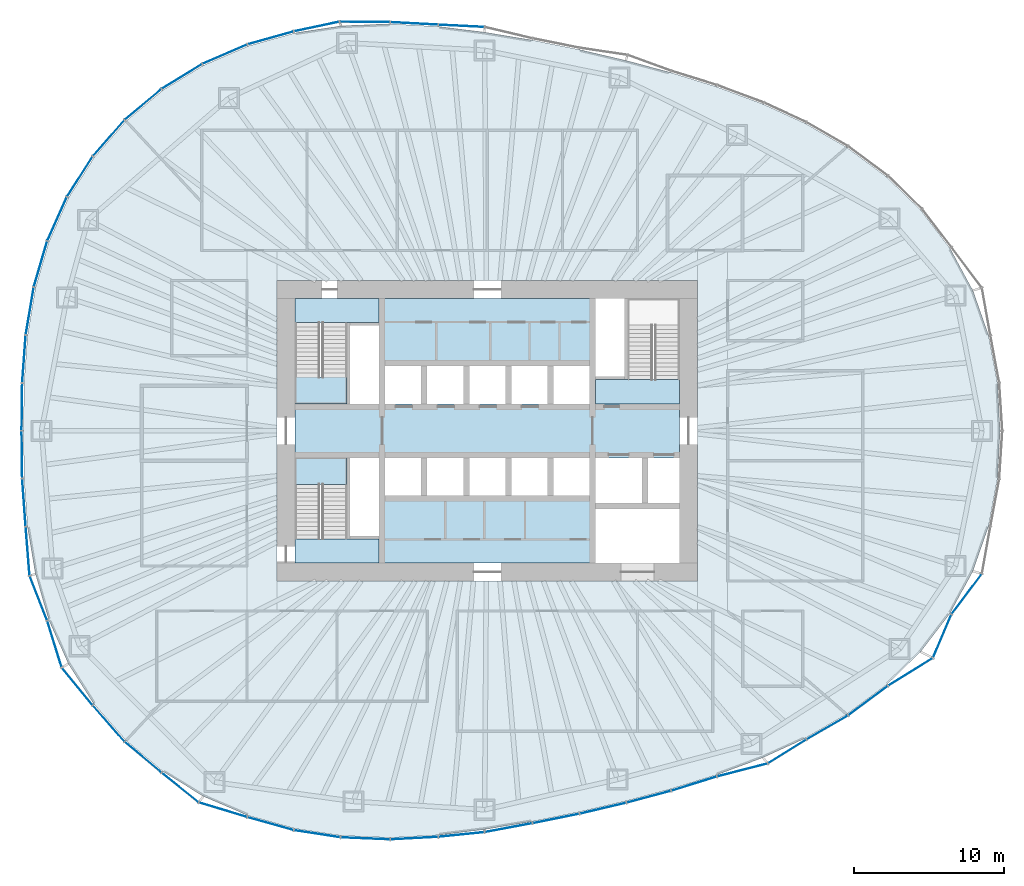
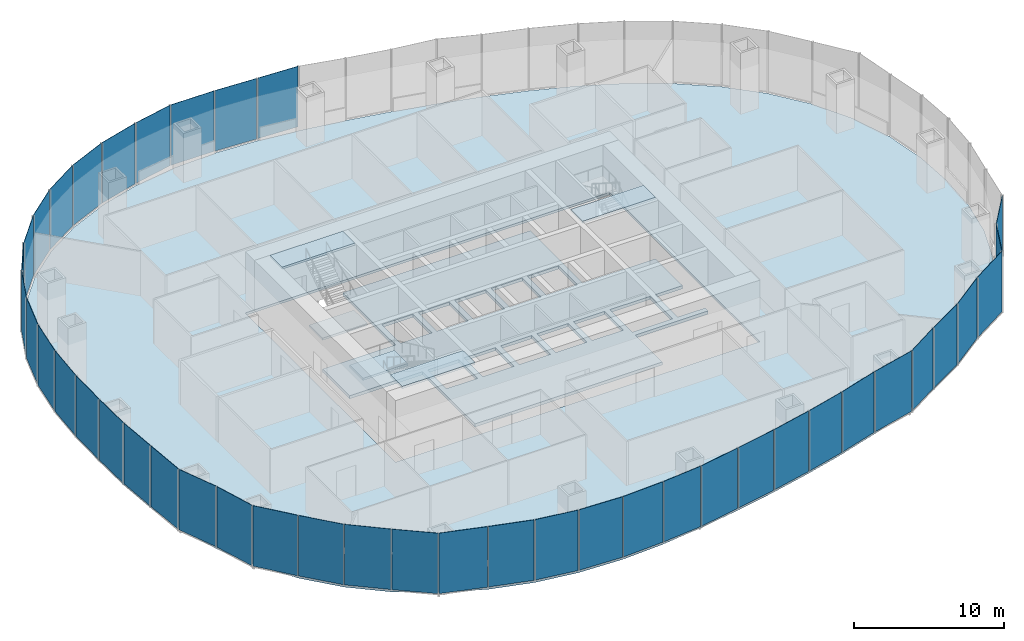
# One storey, part 8 of 18: 42 plates, 7 slabs, 17 elements without a shape of their own.
"""IFC4 building model written with IfcOpenShell, lengths in metres."""

from ifc_helpers import new_model, si_unit, direction, frame, origin, origin_2d, place, context, subcontext, project, spatial, polyline, rectangle, outline, extrude, material, layer, layer_set, type_object, element, aggregate, save


model = new_model("IFC4")

# Units and contexts
model_context = context("Model", 3, precision=1e-05, world=origin(), true_north=direction((0.0, 1.0)))
body_context = subcontext(model_context, "Body", "Model", "MODEL_VIEW")
ifc_project = project(units=[si_unit("LENGTHUNIT", "METRE"), si_unit("AREAUNIT", "SQUARE_METRE"), si_unit("VOLUMEUNIT", "CUBIC_METRE"), si_unit("PLANEANGLEUNIT", "RADIAN"), si_unit("MASSUNIT", "GRAM", prefix="KILO")], contexts=[model_context])

# Site, building, storey
site_placement = place(None, origin())
site = spatial("IfcSite", under=ifc_project, at=site_placement, CompositionType="ELEMENT")
building_placement = place(site_placement, origin())
building = spatial("IfcBuilding", under=site, at=building_placement, Name="Ghaith Harvest Tower", CompositionType="ELEMENT")
storey_placement = place(building_placement, frame((0.0, 0.0, 95.0)))
storey = spatial("IfcBuildingStorey", under=building, at=storey_placement, Name="L19", CompositionType="ELEMENT", Elevation=95.0)

# Curtain wall, plates
ifc_material_1 = material(Name="Black anodised aluminium and fritted glass", Category="aluminium")
curtain_wall_type = type_object("IfcCurtainWallType", Name="CW-F CURTAIN WALL", PredefinedType="NOTDEFINED", material=ifc_material_1)
curtain_wall_1_placement = place(storey_placement, origin())
curtain_wall_1 = element("IfcCurtainWall", 1, at=curtain_wall_1_placement, inside=storey, type_object=curtain_wall_type, Name="Curtain wall CW-F bay 06 L19", PredefinedType="NOTDEFINED")
ifc_material_2 = material(Name="Glass, high-transmission fritted double glazed unit", Category="glass")
ifc_layer_1 = layer(ifc_material_2, 0.028076171875)
ifc_layer_set_1 = layer_set([ifc_layer_1], Name="CW-F VISION PANEL")
plate_type = type_object("IfcPlateType", Name="CW-F VISION PANEL", PredefinedType="CURTAIN_PANEL", material=ifc_layer_set_1)
plate_1_placement = place(storey_placement, frame((-1.722900390625, 26.953369140625, 0.080078125), z_axis=(0.0, 0.0, 1.0), x_axis=(-0.998771443485, 0.049554048048, 0.0)))
plate_1 = element("IfcPlate", 2, at=plate_1_placement, type_object=plate_type, Name="CW-F panel 1 bay 06 L19", PredefinedType="CURTAIN_PANEL", context=body_context, shape_type="SweptSolid", body=[
    extrude(rectangle(XDim=3.001708984375, YDim=0.028076171875, at=origin_2d()), origin(), (0.0, 0.0, 1.0), 4.919921875),
])
plate_2_placement = place(storey_placement, frame((-4.863525390625, 27.11572265625, 0.080078125), z_axis=(0.0, 0.0, 1.0), x_axis=(-0.99856250263, 0.053599704667, 0.0)))
plate_2 = element("IfcPlate", 3, at=plate_2_placement, type_object=plate_type, Name="CW-F panel 2 bay 06 L19", PredefinedType="CURTAIN_PANEL", context=body_context, shape_type="SweptSolid", body=[
    extrude(rectangle(XDim=3.1279296875, YDim=0.028076171875, at=origin_2d()), origin(), (0.0, 0.0, 1.0), 4.919921875),
])
plate_3_placement = place(storey_placement, frame((-8.150390625, 27.217041015625, 0.080078125), z_axis=(0.0, 0.0, 1.0), x_axis=(-0.999959609481, 0.008987736446, 0.0)))
plate_3 = element("IfcPlate", 4, at=plate_3_placement, type_object=plate_type, Name="CW-F panel 3 bay 06 L19", PredefinedType="CURTAIN_PANEL", context=body_context, shape_type="SweptSolid", body=[
    extrude(rectangle(XDim=3.29052734375, YDim=0.028076171875, at=origin_2d()), origin(), (0.0, 0.0, 1.0), 4.919921875),
])
aggregate(curtain_wall_1, [plate_1, plate_2, plate_3])

curtain_wall_2_placement = place(storey_placement, origin())
curtain_wall_2 = element("IfcCurtainWall", 5, at=curtain_wall_2_placement, inside=storey, type_object=curtain_wall_type, Name="Curtain wall CW-F bay 07 L19", PredefinedType="NOTDEFINED")
plate_4_placement = place(storey_placement, frame((-11.358154296875, 26.908447265625, 0.080078125), z_axis=(0.0, 0.0, 1.0), x_axis=(-0.978149320779, -0.207903598476, 0.0)))
plate_4 = element("IfcPlate", 6, at=plate_4_placement, type_object=plate_type, Name="CW-F panel 1 bay 07 L19", PredefinedType="CURTAIN_PANEL", context=body_context, shape_type="SweptSolid", body=[
    extrude(rectangle(XDim=3.032958984375, YDim=0.028076171875, at=origin_2d()), origin(), (0.0, 0.0, 1.0), 4.919921875),
])
plate_5_placement = place(storey_placement, frame((-14.42578125, 26.150634765625, 0.080078125), z_axis=(0.0, 0.0, 1.0), x_axis=(-0.96272968243, -0.270465448012, 0.0)))
plate_5 = element("IfcPlate", 7, at=plate_5_placement, type_object=plate_type, Name="CW-F panel 2 bay 07 L19", PredefinedType="CURTAIN_PANEL", context=body_context, shape_type="SweptSolid", body=[
    extrude(rectangle(XDim=3.13037109375, YDim=0.028076171875, at=origin_2d()), origin(), (0.0, 0.0, 1.0), 4.919921875),
])
plate_6_placement = place(storey_placement, frame((-17.46923828125, 25.0693359375, 0.080078125), z_axis=(0.0, 0.0, 1.0), x_axis=(-0.918002845228, -0.396573796605, 0.0)))
plate_6 = element("IfcPlate", 8, at=plate_6_placement, type_object=plate_type, Name="CW-F panel 3 bay 07 L19", PredefinedType="CURTAIN_PANEL", context=body_context, shape_type="SweptSolid", body=[
    extrude(rectangle(XDim=3.18359375, YDim=0.028076171875, at=origin_2d()), origin(), (0.0, 0.0, 1.0), 4.919921875),
])
aggregate(curtain_wall_2, [plate_4, plate_5, plate_6])

curtain_wall_3_placement = place(storey_placement, origin())
curtain_wall_3 = element("IfcCurtainWall", 9, at=curtain_wall_3_placement, inside=storey, type_object=curtain_wall_type, Name="Curtain wall CW-F bay 08 L19", PredefinedType="NOTDEFINED")
plate_7_placement = place(storey_placement, frame((-20.324462890625, 23.590087890625, 0.080078125), z_axis=(0.0, 0.0, 1.0), x_axis=(-0.852527741552, -0.522681977769, 0.0)))
plate_7 = element("IfcPlate", 10, at=plate_7_placement, type_object=plate_type, Name="CW-F panel 1 bay 08 L19", PredefinedType="CURTAIN_PANEL", context=body_context, shape_type="SweptSolid", body=[
    extrude(rectangle(XDim=3.10400390625, YDim=0.028076171875, at=origin_2d()), origin(), (0.0, 0.0, 1.0), 4.919921875),
])
plate_8_placement = place(storey_placement, frame((-22.91064453125, 21.727294921875, 0.080078125), z_axis=(0.0, 0.0, 1.0), x_axis=(-0.766155215147, -0.642655573619, 0.0)))
plate_8 = element("IfcPlate", 11, at=plate_8_placement, type_object=plate_type, Name="CW-F panel 2 bay 08 L19", PredefinedType="CURTAIN_PANEL", context=body_context, shape_type="SweptSolid", body=[
    extrude(rectangle(XDim=3.1279296875, YDim=0.028076171875, at=origin_2d()), origin(), (0.0, 0.0, 1.0), 4.919921875),
])
plate_9_placement = place(storey_placement, frame((-25.201171875, 19.4853515625, 0.080078125), z_axis=(0.0, 0.0, 1.0), x_axis=(-0.659215937547, -0.751953687194, 0.0)))
plate_9 = element("IfcPlate", 12, at=plate_9_placement, type_object=plate_type, Name="CW-F panel 3 bay 08 L19", PredefinedType="CURTAIN_PANEL", context=body_context, shape_type="SweptSolid", body=[
    extrude(rectangle(XDim=3.1416015625, YDim=0.028076171875, at=origin_2d()), origin(), (0.0, 0.0, 1.0), 4.919921875),
])
aggregate(curtain_wall_3, [plate_7, plate_8, plate_9])

curtain_wall_4_placement = place(storey_placement, origin())
curtain_wall_4 = element("IfcCurtainWall", 13, at=curtain_wall_4_placement, inside=storey, type_object=curtain_wall_type, Name="Curtain wall CW-F bay 09 L19", PredefinedType="NOTDEFINED")
plate_10_placement = place(storey_placement, frame((-27.124755859375, 16.919677734375, 0.080078125), z_axis=(0.0, 0.0, 1.0), x_axis=(-0.536779195227, -0.843722759899, 0.0)))
plate_10 = element("IfcPlate", 14, at=plate_10_placement, type_object=plate_type, Name="CW-F panel 1 bay 09 L19", PredefinedType="CURTAIN_PANEL", context=body_context, shape_type="SweptSolid", body=[
    extrude(rectangle(XDim=3.13037109375, YDim=0.028076171875, at=origin_2d()), origin(), (0.0, 0.0, 1.0), 4.919921875),
])
plate_11_placement = place(storey_placement, frame((-28.639404296875, 14.100341796875, 0.080078125), z_axis=(0.0, 0.0, 1.0), x_axis=(-0.407134417018, -0.913368253488, 0.0)))
plate_11 = element("IfcPlate", 15, at=plate_11_placement, type_object=plate_type, Name="CW-F panel 2 bay 09 L19", PredefinedType="CURTAIN_PANEL", context=body_context, shape_type="SweptSolid", body=[
    extrude(rectangle(XDim=3.1279296875, YDim=0.028076171875, at=origin_2d()), origin(), (0.0, 0.0, 1.0), 4.919921875),
])
plate_12_placement = place(storey_placement, frame((-29.740478515625, 11.101318359375, 0.080078125), z_axis=(0.0, 0.0, 1.0), x_axis=(-0.280296918708, -0.959913348882, 0.0)))
plate_12 = element("IfcPlate", 16, at=plate_12_placement, type_object=plate_type, Name="CW-F panel 3 bay 09 L19", PredefinedType="CURTAIN_PANEL", context=body_context, shape_type="SweptSolid", body=[
    extrude(rectangle(XDim=3.1162109375, YDim=0.028076171875, at=origin_2d()), origin(), (0.0, 0.0, 1.0), 4.919921875),
])
aggregate(curtain_wall_4, [plate_10, plate_11, plate_12])

curtain_wall_5_placement = place(storey_placement, origin())
curtain_wall_5 = element("IfcCurtainWall", 17, at=curtain_wall_5_placement, inside=storey, type_object=curtain_wall_type, Name="Curtain wall CW-F bay 10 L19", PredefinedType="NOTDEFINED")
plate_13_placement = place(storey_placement, frame((-30.456298828125, 7.971435546875, 0.080078125), z_axis=(0.0, 0.0, 1.0), x_axis=(-0.165581316368, -0.986196140567, 0.0)))
plate_13 = element("IfcPlate", 18, at=plate_13_placement, type_object=plate_type, Name="CW-F panel 1 bay 10 L19", PredefinedType="CURTAIN_PANEL", context=body_context, shape_type="SweptSolid", body=[
    extrude(rectangle(XDim=3.156494140625, YDim=0.028076171875, at=origin_2d()), origin(), (0.0, 0.0, 1.0), 4.919921875),
])
plate_14_placement = place(storey_placement, frame((-30.84033203125, 4.77685546875, 0.080078125), z_axis=(0.0, 0.0, 1.0), x_axis=(-0.072420546123, -0.997374184797, 0.0)))
plate_14 = element("IfcPlate", 19, at=plate_14_placement, type_object=plate_type, Name="CW-F panel 2 bay 10 L19", PredefinedType="CURTAIN_PANEL", context=body_context, shape_type="SweptSolid", body=[
    extrude(rectangle(XDim=3.1259765625, YDim=0.028076171875, at=origin_2d()), origin(), (0.0, 0.0, 1.0), 4.919921875),
])
plate_15_placement = place(storey_placement, frame((-30.975830078125, 1.589111328125, 0.080078125), z_axis=(0.0, 0.0, 1.0), x_axis=(-0.012133206476, -0.999926389941, 0.0)))
plate_15 = element("IfcPlate", 20, at=plate_15_placement, type_object=plate_type, Name="CW-F panel 3 bay 10 L19", PredefinedType="CURTAIN_PANEL", context=body_context, shape_type="SweptSolid", body=[
    extrude(rectangle(XDim=3.09814453125, YDim=0.028076171875, at=origin_2d()), origin(), (0.0, 0.0, 1.0), 4.919921875),
])
aggregate(curtain_wall_5, [plate_13, plate_14, plate_15])

curtain_wall_6_placement = place(storey_placement, origin())
curtain_wall_6 = element("IfcCurtainWall", 21, at=curtain_wall_6_placement, inside=storey, type_object=curtain_wall_type, Name="Curtain wall CW-F bay 11 L19", PredefinedType="NOTDEFINED")
plate_16_placement = place(storey_placement, frame((-30.975830078125, -1.589111328125, 0.080078125), z_axis=(0.0, 0.0, 1.0), x_axis=(0.012133206773, -0.999926389937, 0.0)))
plate_16 = element("IfcPlate", 22, at=plate_16_placement, type_object=plate_type, Name="CW-F panel 1 bay 11 L19", PredefinedType="CURTAIN_PANEL", context=body_context, shape_type="SweptSolid", body=[
    extrude(rectangle(XDim=3.09814453125, YDim=0.028076171875, at=origin_2d()), origin(), (0.0, 0.0, 1.0), 4.919921875),
])
plate_17_placement = place(storey_placement, frame((-30.84033203125, -4.77685546875, 0.080078125), z_axis=(0.0, 0.0, 1.0), x_axis=(0.072420546349, -0.99737418478, 0.0)))
plate_17 = element("IfcPlate", 23, at=plate_17_placement, type_object=plate_type, Name="CW-F panel 2 bay 11 L19", PredefinedType="CURTAIN_PANEL", context=body_context, shape_type="SweptSolid", body=[
    extrude(rectangle(XDim=3.1259765625, YDim=0.028076171875, at=origin_2d()), origin(), (0.0, 0.0, 1.0), 4.919921875),
])
plate_18_placement = place(storey_placement, frame((-30.594482421875, -8.01513671875, 0.080078125), z_axis=(0.0, 0.0, 1.0), x_axis=(0.078867084181, -0.996885140341, 0.0)))
plate_18 = element("IfcPlate", 24, at=plate_18_placement, type_object=plate_type, Name="CW-F panel 3 bay 11 L19", PredefinedType="CURTAIN_PANEL", context=body_context, shape_type="SweptSolid", body=[
    extrude(rectangle(XDim=3.209716796875, YDim=0.028076171875, at=origin_2d()), origin(), (0.0, 0.0, 1.0), 4.919921875),
])
aggregate(curtain_wall_6, [plate_16, plate_17, plate_18])

curtain_wall_7_placement = place(storey_placement, origin())
curtain_wall_7 = element("IfcCurtainWall", 25, at=curtain_wall_7_placement, inside=storey, type_object=curtain_wall_type, Name="Curtain wall CW-F bay 12 L19", PredefinedType="NOTDEFINED")
plate_19_placement = place(storey_placement, frame((-29.878662109375, -11.14501953125, 0.080078125), z_axis=(0.0, 0.0, 1.0), x_axis=(0.366039738151, -0.930599220983, 0.0)))
plate_19 = element("IfcPlate", 26, at=plate_19_placement, type_object=plate_type, Name="CW-F panel 1 bay 12 L19", PredefinedType="CURTAIN_PANEL", context=body_context, shape_type="SweptSolid", body=[
    extrude(rectangle(XDim=3.122802734375, YDim=0.028076171875, at=origin_2d()), origin(), (0.0, 0.0, 1.0), 4.919921875),
])
plate_20_placement = place(storey_placement, frame((-28.809814453125, -14.195068359375, 0.080078125), z_axis=(0.0, 0.0, 1.0), x_axis=(0.295583054454, -0.95531704576, 0.0)))
plate_20 = element("IfcPlate", 27, at=plate_20_placement, type_object=plate_type, Name="CW-F panel 2 bay 12 L19", PredefinedType="CURTAIN_PANEL", context=body_context, shape_type="SweptSolid", body=[
    extrude(rectangle(XDim=3.185546875, YDim=0.028076171875, at=origin_2d()), origin(), (0.0, 0.0, 1.0), 4.919921875),
])
plate_21_placement = place(storey_placement, frame((-27.295166015625, -17.014404296875, 0.080078125), z_axis=(0.0, 0.0, 1.0), x_axis=(0.633789860881, -0.773505276158, 0.0)))
plate_21 = element("IfcPlate", 28, at=plate_21_placement, type_object=plate_type, Name="CW-F panel 3 bay 12 L19", PredefinedType="CURTAIN_PANEL", context=body_context, shape_type="SweptSolid", body=[
    extrude(rectangle(XDim=3.1767578125, YDim=0.028076171875, at=origin_2d()), origin(), (0.0, 0.0, 1.0), 4.919921875),
])
aggregate(curtain_wall_7, [plate_19, plate_20, plate_21])

curtain_wall_8_placement = place(storey_placement, origin())
curtain_wall_8 = element("IfcCurtainWall", 29, at=curtain_wall_8_placement, inside=storey, type_object=curtain_wall_type, Name="Curtain wall CW-F bay 13 L19", PredefinedType="NOTDEFINED")
plate_22_placement = place(storey_placement, frame((-25.201171875, -19.4853515625, 0.080078125), z_axis=(0.0, 0.0, 1.0), x_axis=(0.659215937337, -0.751953687378, 0.0)))
plate_22 = element("IfcPlate", 30, at=plate_22_placement, type_object=plate_type, Name="CW-F panel 1 bay 13 L19", PredefinedType="CURTAIN_PANEL", context=body_context, shape_type="SweptSolid", body=[
    extrude(rectangle(XDim=3.1416015625, YDim=0.028076171875, at=origin_2d()), origin(), (0.0, 0.0, 1.0), 4.919921875),
])
plate_23_placement = place(storey_placement, frame((-22.91064453125, -21.727294921875, 0.080078125), z_axis=(0.0, 0.0, 1.0), x_axis=(0.76615521545, -0.642655573258, 0.0)))
plate_23 = element("IfcPlate", 31, at=plate_23_placement, type_object=plate_type, Name="CW-F panel 2 bay 13 L19", PredefinedType="CURTAIN_PANEL", context=body_context, shape_type="SweptSolid", body=[
    extrude(rectangle(XDim=3.1279296875, YDim=0.028076171875, at=origin_2d()), origin(), (0.0, 0.0, 1.0), 4.919921875),
])
plate_24_placement = place(storey_placement, frame((-20.447265625, -23.748046875, 0.080078125), z_axis=(0.0, 0.0, 1.0), x_axis=(0.780122054158, -0.625627349639, 0.0)))
plate_24 = element("IfcPlate", 32, at=plate_24_placement, type_object=plate_type, Name="CW-F panel 3 bay 13 L19", PredefinedType="CURTAIN_PANEL", context=body_context, shape_type="SweptSolid", body=[
    extrude(rectangle(XDim=3.085205078125, YDim=0.028076171875, at=origin_2d()), origin(), (0.0, 0.0, 1.0), 4.919921875),
])
aggregate(curtain_wall_8, [plate_22, plate_23, plate_24])

curtain_wall_9_placement = place(storey_placement, origin())
curtain_wall_9 = element("IfcCurtainWall", 33, at=curtain_wall_9_placement, inside=storey, type_object=curtain_wall_type, Name="Curtain wall CW-F bay 14 L19", PredefinedType="NOTDEFINED")
plate_25_placement = place(storey_placement, frame((-17.591796875, -25.227294921875, 0.080078125), z_axis=(0.0, 0.0, 1.0), x_axis=(0.95734234218, -0.288956121011, 0.0)))
plate_25 = element("IfcPlate", 34, at=plate_25_placement, type_object=plate_type, Name="CW-F panel 1 bay 14 L19", PredefinedType="CURTAIN_PANEL", context=body_context, shape_type="SweptSolid", body=[
    extrude(rectangle(XDim=3.3056640625, YDim=0.028076171875, at=origin_2d()), origin(), (0.0, 0.0, 1.0), 4.919921875),
])
plate_26_placement = place(storey_placement, frame((-14.42578125, -26.150634765625, 0.080078125), z_axis=(0.0, 0.0, 1.0), x_axis=(0.962729682704, -0.270465447038, 0.0)))
plate_26 = element("IfcPlate", 35, at=plate_26_placement, type_object=plate_type, Name="CW-F panel 2 bay 14 L19", PredefinedType="CURTAIN_PANEL", context=body_context, shape_type="SweptSolid", body=[
    extrude(rectangle(XDim=3.13037109375, YDim=0.028076171875, at=origin_2d()), origin(), (0.0, 0.0, 1.0), 4.919921875),
])
plate_27_placement = place(storey_placement, frame((-11.327392578125, -26.82373046875, 0.080078125), z_axis=(0.0, 0.0, 1.0), x_axis=(0.98836987371, -0.152069039392, 0.0)))
plate_27 = element("IfcPlate", 36, at=plate_27_placement, type_object=plate_type, Name="CW-F panel 3 bay 14 L19", PredefinedType="CURTAIN_PANEL", context=body_context, shape_type="SweptSolid", body=[
    extrude(rectangle(XDim=3.0625, YDim=0.028076171875, at=origin_2d()), origin(), (0.0, 0.0, 1.0), 4.919921875),
])
aggregate(curtain_wall_9, [plate_25, plate_26, plate_27])

curtain_wall_10_placement = place(storey_placement, origin())
curtain_wall_10 = element("IfcCurtainWall", 37, at=curtain_wall_10_placement, inside=storey, type_object=curtain_wall_type, Name="Curtain wall CW-F bay 15 L19", PredefinedType="NOTDEFINED")
plate_28_placement = place(storey_placement, frame((-8.119873046875, -27.13232421875, 0.080078125), z_axis=(0.0, 0.0, 1.0), x_axis=(0.999118988518, -0.041967210794, 0.0)))
plate_28 = element("IfcPlate", 38, at=plate_28_placement, type_object=plate_type, Name="CW-F panel 1 bay 15 L19", PredefinedType="CURTAIN_PANEL", context=body_context, shape_type="SweptSolid", body=[
    extrude(rectangle(XDim=3.232177734375, YDim=0.028076171875, at=origin_2d()), origin(), (0.0, 0.0, 1.0), 4.919921875),
])
plate_29_placement = place(storey_placement, frame((-4.863525390625, -27.11572265625, 0.080078125), z_axis=(0.0, 0.0, 1.0), x_axis=(0.998562502616, 0.053599704928, 0.0)))
plate_29 = element("IfcPlate", 39, at=plate_29_placement, type_object=plate_type, Name="CW-F panel 2 bay 15 L19", PredefinedType="CURTAIN_PANEL", context=body_context, shape_type="SweptSolid", body=[
    extrude(rectangle(XDim=3.1279296875, YDim=0.028076171875, at=origin_2d()), origin(), (0.0, 0.0, 1.0), 4.919921875),
])
plate_30_placement = place(storey_placement, frame((-1.722412109375, -26.87353515625, 0.080078125), z_axis=(0.0, 0.0, 1.0), x_axis=(0.99488222177, 0.101041401443, 0.0)))
plate_30 = element("IfcPlate", 40, at=plate_30_placement, type_object=plate_type, Name="CW-F panel 3 bay 15 L19", PredefinedType="CURTAIN_PANEL", context=body_context, shape_type="SweptSolid", body=[
    extrude(rectangle(XDim=3.014892578125, YDim=0.028076171875, at=origin_2d()), origin(), (0.0, 0.0, 1.0), 4.919921875),
])
aggregate(curtain_wall_10, [plate_28, plate_29, plate_30])

curtain_wall_11_placement = place(storey_placement, origin())
curtain_wall_11 = element("IfcCurtainWall", 41, at=curtain_wall_11_placement, inside=storey, type_object=curtain_wall_type, Name="Curtain wall CW-F bay 16 L19", PredefinedType="NOTDEFINED")
plate_31_placement = place(storey_placement, frame((1.4130859375, -26.420166015625, 0.080078125), z_axis=(0.0, 0.0, 1.0), x_axis=(0.983131230266, 0.182901569365, 0.0)))
plate_31 = element("IfcPlate", 42, at=plate_31_placement, type_object=plate_type, Name="CW-F panel 1 bay 16 L19", PredefinedType="CURTAIN_PANEL", context=body_context, shape_type="SweptSolid", body=[
    extrude(rectangle(XDim=3.166748046875, YDim=0.028076171875, at=origin_2d()), origin(), (0.0, 0.0, 1.0), 4.919921875),
])
plate_32_placement = place(storey_placement, frame((4.5732421875, -25.809326171875, 0.080078125), z_axis=(0.0, 0.0, 1.0), x_axis=(0.98043234808, 0.196856320293, 0.0)))
plate_32 = element("IfcPlate", 43, at=plate_32_placement, type_object=plate_type, Name="CW-F panel 2 bay 16 L19", PredefinedType="CURTAIN_PANEL", context=body_context, shape_type="SweptSolid", body=[
    extrude(rectangle(XDim=3.1103515625, YDim=0.028076171875, at=origin_2d()), origin(), (0.0, 0.0, 1.0), 4.919921875),
])
plate_33_placement = place(storey_placement, frame((7.697265625, -25.129150390625, 0.080078125), z_axis=(0.0, 0.0, 1.0), x_axis=(0.973564757908, 0.228411169079, 0.0)))
plate_33 = element("IfcPlate", 44, at=plate_33_placement, type_object=plate_type, Name="CW-F panel 3 bay 16 L19", PredefinedType="CURTAIN_PANEL", context=body_context, shape_type="SweptSolid", body=[
    extrude(rectangle(XDim=3.125, YDim=0.028076171875, at=origin_2d()), origin(), (0.0, 0.0, 1.0), 4.919921875),
])
aggregate(curtain_wall_11, [plate_31, plate_32, plate_33])

curtain_wall_12_placement = place(storey_placement, origin())
curtain_wall_12 = element("IfcCurtainWall", 45, at=curtain_wall_12_placement, inside=storey, type_object=curtain_wall_type, Name="Curtain wall CW-F bay 17 L19", PredefinedType="NOTDEFINED")
plate_34_placement = place(storey_placement, frame((10.745849609375, -24.36376953125, 0.080078125), z_axis=(0.0, 0.0, 1.0), x_axis=(0.965848435029, 0.259107700681, 0.0)))
plate_34 = element("IfcPlate", 46, at=plate_34_placement, type_object=plate_type, Name="CW-F panel 1 bay 17 L19", PredefinedType="CURTAIN_PANEL", context=body_context, shape_type="SweptSolid", body=[
    extrude(rectangle(XDim=3.002197265625, YDim=0.028076171875, at=origin_2d()), origin(), (0.0, 0.0, 1.0), 4.919921875),
])
plate_35_placement = place(storey_placement, frame((13.760986328125, -23.490234375, 0.080078125), z_axis=(0.0, 0.0, 1.0), x_axis=(0.954988265447, 0.296643578827, 0.0)))
plate_35 = element("IfcPlate", 47, at=plate_35_placement, type_object=plate_type, Name="CW-F panel 2 bay 17 L19", PredefinedType="CURTAIN_PANEL", context=body_context, shape_type="SweptSolid", body=[
    extrude(rectangle(XDim=3.1171875, YDim=0.028076171875, at=origin_2d()), origin(), (0.0, 0.0, 1.0), 4.919921875),
])
plate_36_placement = place(storey_placement, frame((16.980712890625, -22.580322265625, 0.080078125), z_axis=(0.0, 0.0, 1.0), x_axis=(0.968451429434, 0.249202385275, 0.0)))
plate_36 = element("IfcPlate", 48, at=plate_36_placement, type_object=plate_type, Name="CW-F panel 3 bay 17 L19", PredefinedType="CURTAIN_PANEL", context=body_context, shape_type="SweptSolid", body=[
    extrude(rectangle(XDim=3.416748046875, YDim=0.028076171875, at=origin_2d()), origin(), (0.0, 0.0, 1.0), 4.919921875),
])
aggregate(curtain_wall_12, [plate_34, plate_35, plate_36])

curtain_wall_13_placement = place(storey_placement, origin())
curtain_wall_13 = element("IfcCurtainWall", 49, at=curtain_wall_13_placement, inside=storey, type_object=curtain_wall_type, Name="Curtain wall CW-F bay 18 L19", PredefinedType="NOTDEFINED")
plate_37_placement = place(storey_placement, frame((19.954833984375, -21.348876953125, 0.080078125), z_axis=(0.0, 0.0, 1.0), x_axis=(0.849360700005, 0.527812846837, 0.0)))
plate_37 = element("IfcPlate", 50, at=plate_37_placement, type_object=plate_type, Name="CW-F panel 1 bay 18 L19", PredefinedType="CURTAIN_PANEL", context=body_context, shape_type="SweptSolid", body=[
    extrude(rectangle(XDim=2.935791015625, YDim=0.028076171875, at=origin_2d()), origin(), (0.0, 0.0, 1.0), 4.919921875),
])
plate_38_placement = place(storey_placement, frame((22.626953125, -19.750244140625, 0.080078125), z_axis=(0.0, 0.0, 1.0), x_axis=(0.866159208454, 0.499768171866, 0.0)))
plate_38 = element("IfcPlate", 51, at=plate_38_placement, type_object=plate_type, Name="CW-F panel 2 bay 18 L19", PredefinedType="CURTAIN_PANEL", context=body_context, shape_type="SweptSolid", body=[
    extrude(rectangle(XDim=3.1328125, YDim=0.028076171875, at=origin_2d()), origin(), (0.0, 0.0, 1.0), 4.919921875),
])
plate_39_placement = place(storey_placement, frame((25.34619140625, -17.96142578125, 0.080078125), z_axis=(0.0, 0.0, 1.0), x_axis=(0.802866788713, 0.596158468515, 0.0)))
plate_39 = element("IfcPlate", 52, at=plate_39_placement, type_object=plate_type, Name="CW-F panel 3 bay 18 L19", PredefinedType="CURTAIN_PANEL", context=body_context, shape_type="SweptSolid", body=[
    extrude(rectangle(XDim=3.2275390625, YDim=0.028076171875, at=origin_2d()), origin(), (0.0, 0.0, 1.0), 4.919921875),
])
aggregate(curtain_wall_13, [plate_37, plate_38, plate_39])

curtain_wall_14_placement = place(storey_placement, origin())
curtain_wall_14 = element("IfcCurtainWall", 53, at=curtain_wall_14_placement, inside=storey, type_object=curtain_wall_type, Name="Curtain wall CW-F bay 19 L19", PredefinedType="NOTDEFINED")
plate_40_placement = place(storey_placement, frame((28.166748046875, -16.05126953125, 0.080078125), z_axis=(0.0, 0.0, 1.0), x_axis=(0.850245604669, 0.526386181184, 0.0)))
plate_40 = element("IfcPlate", 54, at=plate_40_placement, type_object=plate_type, Name="CW-F panel 1 bay 19 L19", PredefinedType="CURTAIN_PANEL", context=body_context, shape_type="SweptSolid", body=[
    extrude(rectangle(XDim=3.431884765625, YDim=0.028076171875, at=origin_2d()), origin(), (0.0, 0.0, 1.0), 4.919921875),
])
plate_41_placement = place(storey_placement, frame((30.2783203125, -13.6708984375, 0.080078125), z_axis=(0.0, 0.0, 1.0), x_axis=(0.390980294296, 0.920399049039, 0.0)))
plate_41 = element("IfcPlate", 55, at=plate_41_placement, type_object=plate_type, Name="CW-F panel 2 bay 19 L19", PredefinedType="CURTAIN_PANEL", context=body_context, shape_type="SweptSolid", body=[
    extrude(rectangle(XDim=3.083740234375, YDim=0.028076171875, at=origin_2d()), origin(), (0.0, 0.0, 1.0), 4.919921875),
])
plate_42_placement = place(storey_placement, frame((31.91015625, -10.865234375, 0.080078125), z_axis=(0.0, 0.0, 1.0), x_axis=(0.600454091429, 0.799659229976, 0.0)))
plate_42 = element("IfcPlate", 56, at=plate_42_placement, type_object=plate_type, Name="CW-F panel 3 bay 19 L19", PredefinedType="CURTAIN_PANEL", context=body_context, shape_type="SweptSolid", body=[
    extrude(rectangle(XDim=3.295654296875, YDim=0.028076171875, at=origin_2d()), origin(), (0.0, 0.0, 1.0), 4.919921875),
])
aggregate(curtain_wall_14, [plate_40, plate_41, plate_42])

# Slabs
ifc_material_3 = material(Name="Concrete C40/50", Category="concrete")
ifc_layer_2 = layer(ifc_material_3, 0.199951171875)
ifc_layer_set_2 = layer_set([ifc_layer_2], Name="FLOOR SLAB 200")
slab_type_1 = type_object("IfcSlabType", Name="FLOOR SLAB 200", PredefinedType="FLOOR", material=ifc_layer_set_2)
slab_1_placement = place(storey_placement, frame((0.0, 0.0, -0.199951171875)))
element("IfcSlab", 57, at=slab_1_placement, inside=storey, type_object=slab_type_1, Name="Floor slab L19", PredefinedType="FLOOR", context=body_context, shape_type="SweptSolid", body=[
    extrude(outline(polyline([(34.125, 0.0), (33.95849609375, 3.194091796875), (33.37158203125, 6.333984375), (32.318359375, 9.3408203125), (30.78515625, 12.1708984375), (28.840087890625, 14.708984375), (26.572509765625, 16.9111328125), (23.92431640625, 18.873046875), (21.149169921875, 20.469482421875), (18.34521484375, 21.7548828125), (15.22119140625, 22.916259765625), (12.1796875, 23.857666015625), (9.21533203125, 24.65087890625), (6.10888671875, 25.378662109375), (2.99560546875, 26.004150390625), (-0.181396484375, 26.527099609375), (-3.24755859375, 26.91064453125), (-6.4375, 27.0849609375), (-9.733642578125, 26.949951171875), (-12.828125, 26.476806640625), (-15.907958984375, 25.614501953125), (-18.8935546875, 24.32763671875), (-21.59912109375, 22.671142578125), (-24.04833984375, 20.618408203125), (-26.16455078125, 18.20556640625), (-27.881591796875, 15.507080078125), (-29.182373046875, 12.587890625), (-30.073974609375, 9.531005859375), (-30.606689453125, 6.35107421875), (-30.837158203125, 3.165771484375), (-30.875, 0.0), (-30.837158203125, -3.165771484375), (-30.606689453125, -6.35107421875), (-30.073974609375, -9.531005859375), (-29.182373046875, -12.587890625), (-27.881591796875, -15.507080078125), (-26.16455078125, -18.20556640625), (-24.04833984375, -20.618408203125), (-21.59912109375, -22.671142578125), (-18.8935546875, -24.32763671875), (-15.907958984375, -25.614501953125), (-12.828125, -26.476806640625), (-9.733642578125, -26.949951171875), (-6.4375, -27.0849609375), (-3.24755859375, -26.91064453125), (-0.181396484375, -26.527099609375), (2.99560546875, -26.004150390625), (6.10888671875, -25.378662109375), (9.21533203125, -24.65087890625), (12.1796875, -23.857666015625), (15.22119140625, -22.916259765625), (18.34521484375, -21.7548828125), (21.149169921875, -20.469482421875), (23.92431640625, -18.873046875), (26.572509765625, -16.9111328125), (28.840087890625, -14.708984375), (30.78515625, -12.1708984375), (32.318359375, -9.3408203125), (33.37158203125, -6.333984375), (33.95849609375, -3.194091796875), (34.125, 0.0)]), holes=[polyline([(-14.0, -10.0), (14.0, -10.0), (14.0, 10.0), (-14.0, 10.0), (-14.0, -10.0)])]), origin(), (0.0, 0.0, 1.0), 0.199951171875),
])
ifc_material_4 = material(Name="Concrete C40/50", Category="concrete")
ifc_layer_3 = layer(ifc_material_4, 0.25)
ifc_layer_set_3 = layer_set([ifc_layer_3], Name="FLOOR SLAB 250")
slab_type_2 = type_object("IfcSlabType", Name="FLOOR SLAB 250", PredefinedType="FLOOR", material=ifc_layer_set_3)
slab_2_placement = place(storey_placement, frame((0.0, 0.0, -0.25)))
element("IfcSlab", 58, at=slab_2_placement, inside=storey, type_object=slab_type_2, Name="Core slab L19", PredefinedType="FLOOR", context=body_context, shape_type="SweptSolid", body=[
    extrude(outline(polyline([(-12.800048828125, 1.800048828125), (-7.199951171875, 1.800048828125), (-7.199951171875, 8.800048828125), (7.199951171875, 8.800048828125), (7.199951171875, 1.800048828125), (12.800048828125, 1.800048828125), (12.800048828125, -1.800048828125), (10.699951171875, -1.800048828125), (10.699951171875, -4.800048828125), (12.800048828125, -4.800048828125), (12.800048828125, -5.199951171875), (7.199951171875, -5.199951171875), (7.199951171875, -8.800048828125), (-7.199951171875, -8.800048828125), (-7.199951171875, -1.800048828125), (-12.800048828125, -1.800048828125), (-12.800048828125, 1.800048828125)]), holes=[polyline([(-4.39990234375, -4.300048828125), (-4.39990234375, -1.800048828125), (-6.800048828125, -1.800048828125), (-6.800048828125, -4.300048828125), (-4.39990234375, -4.300048828125)]), polyline([(-1.60009765625, -4.300048828125), (-1.60009765625, -1.800048828125), (-4.0, -1.800048828125), (-4.0, -4.300048828125), (-1.60009765625, -4.300048828125)]), polyline([(1.199951171875, -4.300048828125), (1.199951171875, -1.800048828125), (-1.199951171875, -1.800048828125), (-1.199951171875, -4.300048828125), (1.199951171875, -4.300048828125)]), polyline([(-4.39990234375, 1.800048828125), (-4.39990234375, 4.300048828125), (-6.800048828125, 4.300048828125), (-6.800048828125, 1.800048828125), (-4.39990234375, 1.800048828125)]), polyline([(-1.60009765625, 1.800048828125), (-1.60009765625, 4.300048828125), (-4.0, 4.300048828125), (-4.0, 1.800048828125), (-1.60009765625, 1.800048828125)]), polyline([(1.199951171875, 1.800048828125), (1.199951171875, 4.300048828125), (-1.199951171875, 4.300048828125), (-1.199951171875, 1.800048828125), (1.199951171875, 1.800048828125)]), polyline([(10.300048828125, -4.800048828125), (10.300048828125, -1.800048828125), (7.199951171875, -1.800048828125), (7.199951171875, -4.800048828125), (10.300048828125, -4.800048828125)]), polyline([(4.0, -4.300048828125), (4.0, -1.800048828125), (1.60009765625, -1.800048828125), (1.60009765625, -4.300048828125), (4.0, -4.300048828125)]), polyline([(6.800048828125, -4.300048828125), (6.800048828125, -1.800048828125), (4.39990234375, -1.800048828125), (4.39990234375, -4.300048828125), (6.800048828125, -4.300048828125)]), polyline([(4.0, 1.800048828125), (4.0, 4.300048828125), (1.60009765625, 4.300048828125), (1.60009765625, 1.800048828125), (4.0, 1.800048828125)]), polyline([(6.800048828125, 1.800048828125), (6.800048828125, 4.300048828125), (4.39990234375, 4.300048828125), (4.39990234375, 1.800048828125), (6.800048828125, 1.800048828125)])]), origin(), (0.0, 0.0, 1.0), 0.25),
])

# Stair, slabs
ifc_material_5 = material(Name="Concrete C40/50, precast", Category="concrete")
stair_type = type_object("IfcStairType", Name="CORE STAIR 28R", PredefinedType="HALF_TURN_STAIR", material=ifc_material_5)
stair_1_placement = place(storey_placement, origin())
stair_1 = element("IfcStair", 59, at=stair_1_placement, inside=storey, type_object=stair_type, Name="Stair ST1 L19", PredefinedType="HALF_TURN_STAIR")
ifc_material_6 = material(Name="Concrete C40/50, precast", Category="concrete")
ifc_layer_4 = layer(ifc_material_6, 0.179931640625)
ifc_layer_set_4 = layer_set([ifc_layer_4], Name="STAIR LANDING 180")
slab_type_3 = type_object("IfcSlabType", Name="STAIR LANDING 180", PredefinedType="LANDING", material=ifc_layer_set_4)
slab_3_placement = place(storey_placement, frame((0.0, 0.0, 2.320068359375)))
slab_3 = element("IfcSlab", 60, at=slab_3_placement, type_object=slab_type_3, Name="ST1 landing 1", PredefinedType="LANDING", context=body_context, shape_type="SweptSolid", body=[
    extrude(outline(polyline([(-12.800048828125, 3.580078125), (-12.800048828125, 1.800048828125), (-9.35009765625, 1.800048828125), (-9.35009765625, 3.580078125), (-12.800048828125, 3.580078125)])), origin(), (0.0, 0.0, 1.0), 0.179931640625),
])
slab_4_placement = place(storey_placement, frame((0.0, 0.0, 4.820068359375)))
slab_4 = element("IfcSlab", 61, at=slab_4_placement, type_object=slab_type_3, Name="ST1 landing 2", PredefinedType="LANDING", context=body_context, shape_type="SweptSolid", body=[
    extrude(outline(polyline([(-12.800048828125, 8.800048828125), (-12.800048828125, 7.199951171875), (-7.199951171875, 7.199951171875), (-7.199951171875, 8.800048828125), (-12.800048828125, 8.800048828125)])), origin(), (0.0, 0.0, 1.0), 0.179931640625),
])
aggregate(stair_1, [slab_3, slab_4])

stair_2_placement = place(storey_placement, origin())
stair_2 = element("IfcStair", 62, at=stair_2_placement, inside=storey, type_object=stair_type, Name="Stair ST3 L19", PredefinedType="HALF_TURN_STAIR")
slab_5_placement = place(storey_placement, frame((0.0, 0.0, 2.320068359375)))
slab_5 = element("IfcSlab", 63, at=slab_5_placement, type_object=slab_type_3, Name="ST3 landing 1", PredefinedType="LANDING", context=body_context, shape_type="SweptSolid", body=[
    extrude(outline(polyline([(-12.800048828125, -3.580078125), (-12.800048828125, -1.800048828125), (-9.35009765625, -1.800048828125), (-9.35009765625, -3.580078125), (-12.800048828125, -3.580078125)])), origin(), (0.0, 0.0, 1.0), 0.179931640625),
])
slab_6_placement = place(storey_placement, frame((0.0, 0.0, 4.820068359375)))
slab_6 = element("IfcSlab", 64, at=slab_6_placement, type_object=slab_type_3, Name="ST3 landing 2", PredefinedType="LANDING", context=body_context, shape_type="SweptSolid", body=[
    extrude(outline(polyline([(-12.800048828125, -8.800048828125), (-12.800048828125, -7.199951171875), (-7.199951171875, -7.199951171875), (-7.199951171875, -8.800048828125), (-12.800048828125, -8.800048828125)])), origin(), (0.0, 0.0, 1.0), 0.179931640625),
])
aggregate(stair_2, [slab_5, slab_6])

# Stair, slab
stair_3_placement = place(storey_placement, origin())
stair_3 = element("IfcStair", 65, at=stair_3_placement, inside=storey, type_object=stair_type, Name="Stair ST2 L19", PredefinedType="HALF_TURN_STAIR")
slab_7_placement = place(storey_placement, frame((0.0, 0.0, 4.820068359375)))
slab_7 = element("IfcSlab", 66, at=slab_7_placement, type_object=slab_type_3, Name="ST2 landing 2", PredefinedType="LANDING", context=body_context, shape_type="SweptSolid", body=[
    extrude(outline(polyline([(12.800048828125, 1.800048828125), (12.800048828125, 3.39990234375), (7.199951171875, 3.39990234375), (7.199951171875, 1.800048828125), (12.800048828125, 1.800048828125)])), origin(), (0.0, 0.0, 1.0), 0.179931640625),
])
aggregate(stair_3, [slab_7])

save(model, "model.ifc")
